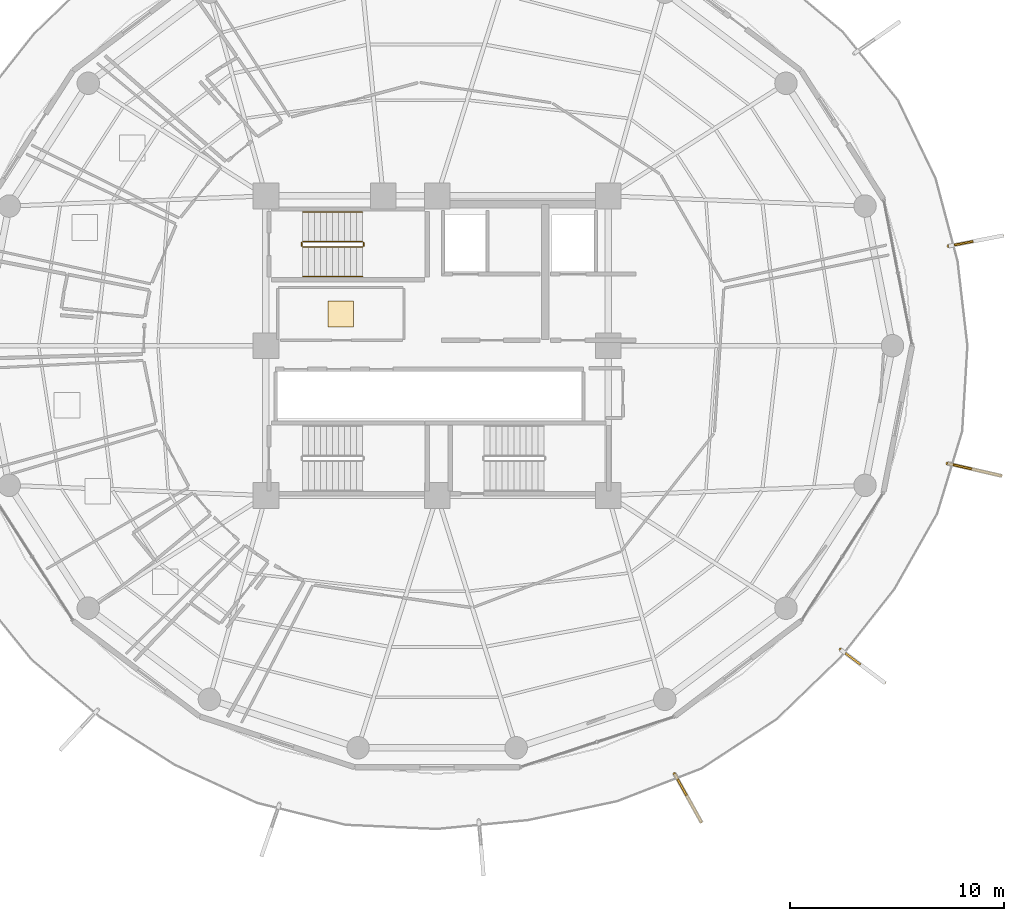
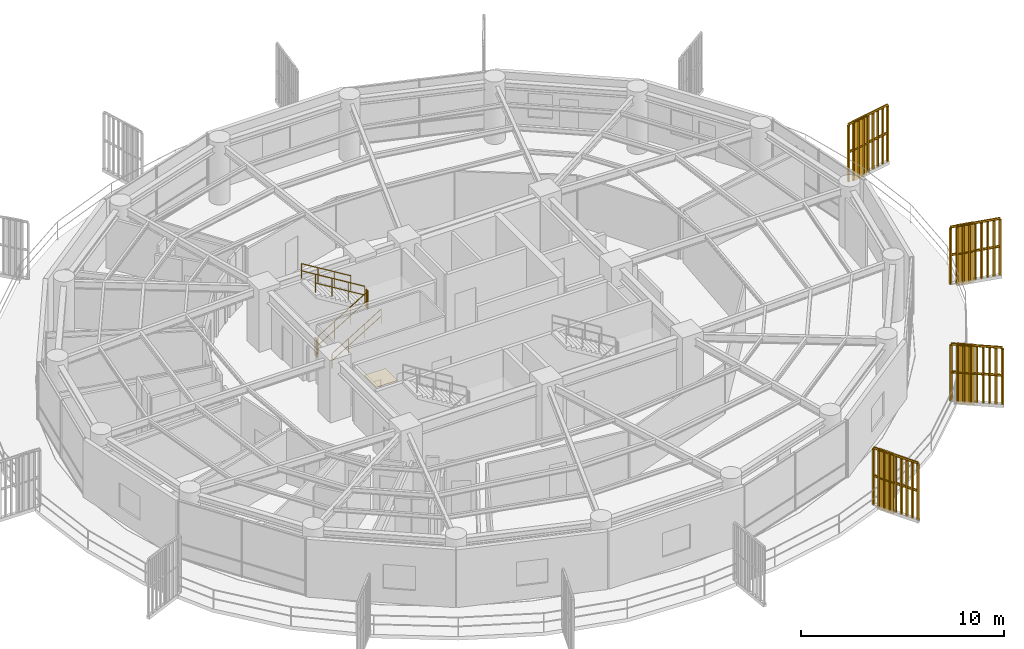
# One storey, part 29 of 30: 10 railings, 4 shading devices, 1 covering.
"""IFC4 building model written with IfcOpenShell, lengths in metres."""

from ifc_helpers import new_model, si_unit, direction, frame, origin, origin_2d, place, context, subcontext, project, spatial, polyline, rectangle, outline, extrude, source, transform, mapped, material, layer, layer_set, type_object, element, save


model = new_model("IFC4")

# Units and contexts
model_context = context("Model", 3, precision=1e-05, world=origin(), true_north=direction((0.0, 1.0)))
body_context = subcontext(model_context, "Body", "Model", "MODEL_VIEW")
ifc_project = project(units=[si_unit("LENGTHUNIT", "METRE"), si_unit("AREAUNIT", "SQUARE_METRE"), si_unit("VOLUMEUNIT", "CUBIC_METRE"), si_unit("PLANEANGLEUNIT", "RADIAN"), si_unit("MASSUNIT", "GRAM", prefix="KILO")], contexts=[model_context])

# Site, building, storey
site_placement = place(None, origin())
site = spatial("IfcSite", under=ifc_project, at=site_placement, CompositionType="ELEMENT")
building_placement = place(site_placement, origin())
building = spatial("IfcBuilding", under=site, at=building_placement, Name="Kelanora Arch Commons", CompositionType="ELEMENT")
storey_placement = place(building_placement, frame((0.0, 0.0, 204.449951171875)))
storey = spatial("IfcBuildingStorey", under=building, at=storey_placement, Name="L52", CompositionType="ELEMENT", Elevation=204.449951171875)

# Railings
ifc_material_1 = material(Name="Anodised bronze vertical shading fin rib assembly")
railing_type_1 = type_object("IfcRailingType", Name="RAIL-FIN-BRZ", PredefinedType="BALUSTRADE", material=ifc_material_1)
railing_1_placement = place(storey_placement, frame((92.85498046875, 43.799560546875, -0.02001953125)))
element("IfcRailing", 1, at=railing_1_placement, inside=storey, type_object=railing_type_1, Name="Sweeping Bronze Vertical Fin Blade L52-00", PredefinedType="BALUSTRADE", context=body_context, shape_type="SweptSolid", body=[
    extrude(outline(polyline([(0.06982421875, 0.0), (0.034912109375, 0.060546875), (-0.034912109375, 0.060546875), (-0.06982421875, 0.0), (-0.034912109375, -0.060546875), (0.034912109375, -0.060546875), (0.06982421875, 0.0)])), frame((0.0, 0.0, 3.419921875), z_axis=(0.798794609004, -0.60160383362, 0.0), x_axis=(0.60160383362, 0.798794609004, 0.0)), (0.0, 0.0, 1.0), 2.555419921875),
    extrude(outline(polyline([(0.06982421875, 0.0), (0.034912109375, 0.060546875), (-0.034912109375, 0.060546875), (-0.06982421875, 0.0), (-0.034912109375, -0.060546875), (0.034912109375, -0.060546875), (0.06982421875, 0.0)])), frame((0.0, 0.0, 1.7451171875), z_axis=(0.798794609004, -0.60160383362, 0.0), x_axis=(0.60160383362, 0.798794609004, 0.0)), (0.0, 0.0, 1.0), 2.555419921875),
    extrude(outline(polyline([(0.080078125, 0.0), (0.0400390625, 0.0693359375), (-0.0400390625, 0.0693359375), (-0.080078125, 0.0), (-0.0400390625, -0.0693359375), (0.0400390625, -0.0693359375), (0.080078125, 0.0)])), origin(), (0.0, 0.0, 1.0), 3.35009765625),
    extrude(outline(polyline([(0.080078125, 0.0), (0.0400390625, 0.0693359375), (-0.0400390625, 0.0693359375), (-0.080078125, 0.0), (-0.0400390625, -0.0693359375), (0.0400390625, -0.0693359375), (0.080078125, 0.0)])), frame((0.255126953125, -0.192138671875, 0.0)), (0.0, 0.0, 1.0), 3.35009765625),
    extrude(outline(polyline([(0.080078125, 0.0), (0.0400390625, 0.0693359375), (-0.0400390625, 0.0693359375), (-0.080078125, 0.0), (-0.0400390625, -0.0693359375), (0.0400390625, -0.0693359375), (0.080078125, 0.0)])), frame((0.51025390625, -0.38427734375, 0.0)), (0.0, 0.0, 1.0), 3.35009765625),
    extrude(outline(polyline([(0.080078125, 0.0), (0.0400390625, 0.0693359375), (-0.0400390625, 0.0693359375), (-0.080078125, 0.0), (-0.0400390625, -0.0693359375), (0.0400390625, -0.0693359375), (0.080078125, 0.0)])), frame((0.765380859375, -0.576416015625, 0.0)), (0.0, 0.0, 1.0), 3.35009765625),
    extrude(outline(polyline([(0.080078125, 0.0), (0.0400390625, 0.0693359375), (-0.0400390625, 0.0693359375), (-0.080078125, 0.0), (-0.0400390625, -0.0693359375), (0.0400390625, -0.0693359375), (0.080078125, 0.0)])), frame((1.0205078125, -0.7685546875, 0.0)), (0.0, 0.0, 1.0), 3.35009765625),
    extrude(outline(polyline([(0.080078125, 0.0), (0.0400390625, 0.0693359375), (-0.0400390625, 0.0693359375), (-0.080078125, 0.0), (-0.0400390625, -0.0693359375), (0.0400390625, -0.0693359375), (0.080078125, 0.0)])), frame((1.27587890625, -0.9609375, 0.0)), (0.0, 0.0, 1.0), 3.35009765625),
    extrude(outline(polyline([(0.080078125, 0.0), (0.0400390625, 0.0693359375), (-0.0400390625, 0.0693359375), (-0.080078125, 0.0), (-0.0400390625, -0.0693359375), (0.0400390625, -0.0693359375), (0.080078125, 0.0)])), frame((1.531005859375, -1.153076171875, 0.0)), (0.0, 0.0, 1.0), 3.35009765625),
    extrude(outline(polyline([(0.080078125, 0.0), (0.0400390625, 0.0693359375), (-0.0400390625, 0.0693359375), (-0.080078125, 0.0), (-0.0400390625, -0.0693359375), (0.0400390625, -0.0693359375), (0.080078125, 0.0)])), frame((1.7861328125, -1.34521484375, 0.0)), (0.0, 0.0, 1.0), 3.35009765625),
    extrude(outline(polyline([(0.080078125, 0.0), (0.0400390625, 0.0693359375), (-0.0400390625, 0.0693359375), (-0.080078125, 0.0), (-0.0400390625, -0.0693359375), (0.0400390625, -0.0693359375), (0.080078125, 0.0)])), frame((2.041259765625, -1.537353515625, 0.0)), (0.0, 0.0, 1.0), 3.35009765625),
])
railing_2_placement = place(storey_placement, frame((97.845703125, 52.50146484375, -0.02001953125)))
element("IfcRailing", 2, at=railing_2_placement, inside=storey, type_object=railing_type_1, Name="Sweeping Bronze Vertical Fin Blade L52-01", PredefinedType="BALUSTRADE", context=body_context, shape_type="SweptSolid", body=[
    extrude(outline(polyline([(0.06982421875, 0.0), (0.034912109375, 0.060546875), (-0.034912109375, 0.060546875), (-0.06982421875, 0.0), (-0.034912109375, -0.060546875), (0.034912109375, -0.060546875), (0.06982421875, 0.0)])), frame((0.0, 0.0, 3.419921875), z_axis=(0.974408903343, -0.224782759761, 0.0), x_axis=(0.224782759761, 0.974408903343, 0.0)), (0.0, 0.0, 1.0), 2.5556640625),
    extrude(outline(polyline([(0.06982421875, 0.0), (0.034912109375, 0.060546875), (-0.034912109375, 0.060546875), (-0.06982421875, 0.0), (-0.034912109375, -0.060546875), (0.034912109375, -0.060546875), (0.06982421875, 0.0)])), frame((0.0, 0.0, 1.7451171875), z_axis=(0.974408903343, -0.224782759761, 0.0), x_axis=(0.224782759761, 0.974408903343, 0.0)), (0.0, 0.0, 1.0), 2.5556640625),
    extrude(outline(polyline([(0.080078125, 0.0), (0.0400390625, 0.0693359375), (-0.0400390625, 0.0693359375), (-0.080078125, 0.0), (-0.0400390625, -0.0693359375), (0.0400390625, -0.0693359375), (0.080078125, 0.0)])), origin(), (0.0, 0.0, 1.0), 3.35009765625),
    extrude(outline(polyline([(0.080078125, 0.0), (0.0400390625, 0.0693359375), (-0.0400390625, 0.0693359375), (-0.080078125, 0.0), (-0.0400390625, -0.0693359375), (0.0400390625, -0.0693359375), (0.080078125, 0.0)])), frame((0.311279296875, -0.07177734375, 0.0)), (0.0, 0.0, 1.0), 3.35009765625),
    extrude(outline(polyline([(0.080078125, 0.0), (0.0400390625, 0.0693359375), (-0.0400390625, 0.0693359375), (-0.080078125, 0.0), (-0.0400390625, -0.0693359375), (0.0400390625, -0.0693359375), (0.080078125, 0.0)])), frame((0.62255859375, -0.1435546875, 0.0)), (0.0, 0.0, 1.0), 3.35009765625),
    extrude(outline(polyline([(0.080078125, 0.0), (0.0400390625, 0.0693359375), (-0.0400390625, 0.0693359375), (-0.080078125, 0.0), (-0.0400390625, -0.0693359375), (0.0400390625, -0.0693359375), (0.080078125, 0.0)])), frame((0.933837890625, -0.21533203125, 0.0)), (0.0, 0.0, 1.0), 3.35009765625),
    extrude(outline(polyline([(0.080078125, 0.0), (0.0400390625, 0.0693359375), (-0.0400390625, 0.0693359375), (-0.080078125, 0.0), (-0.0400390625, -0.0693359375), (0.0400390625, -0.0693359375), (0.080078125, 0.0)])), frame((1.2451171875, -0.287109375, 0.0)), (0.0, 0.0, 1.0), 3.35009765625),
    extrude(outline(polyline([(0.080078125, 0.0), (0.0400390625, 0.0693359375), (-0.0400390625, 0.0693359375), (-0.080078125, 0.0), (-0.0400390625, -0.0693359375), (0.0400390625, -0.0693359375), (0.080078125, 0.0)])), frame((1.556396484375, -0.359130859375, 0.0)), (0.0, 0.0, 1.0), 3.35009765625),
    extrude(outline(polyline([(0.080078125, 0.0), (0.0400390625, 0.0693359375), (-0.0400390625, 0.0693359375), (-0.080078125, 0.0), (-0.0400390625, -0.0693359375), (0.0400390625, -0.0693359375), (0.080078125, 0.0)])), frame((1.86767578125, -0.430908203125, 0.0)), (0.0, 0.0, 1.0), 3.35009765625),
    extrude(outline(polyline([(0.080078125, 0.0), (0.0400390625, 0.0693359375), (-0.0400390625, 0.0693359375), (-0.080078125, 0.0), (-0.0400390625, -0.0693359375), (0.0400390625, -0.0693359375), (0.080078125, 0.0)])), frame((2.178955078125, -0.502685546875, 0.0)), (0.0, 0.0, 1.0), 3.35009765625),
    extrude(outline(polyline([(0.080078125, 0.0), (0.0400390625, 0.0693359375), (-0.0400390625, 0.0693359375), (-0.080078125, 0.0), (-0.0400390625, -0.0693359375), (0.0400390625, -0.0693359375), (0.080078125, 0.0)])), frame((2.490234375, -0.574462890625, 0.0)), (0.0, 0.0, 1.0), 3.35009765625),
])
railing_3_placement = place(storey_placement, frame((97.902099609375, 62.652587890625, -0.02001953125)))
element("IfcRailing", 3, at=railing_3_placement, inside=storey, type_object=railing_type_1, Name="Sweeping Bronze Vertical Fin Blade L52-02", PredefinedType="BALUSTRADE", context=body_context, shape_type="SweptSolid", body=[
    extrude(outline(polyline([(0.06982421875, 0.0), (0.034912109375, 0.060546875), (-0.034912109375, 0.060546875), (-0.06982421875, 0.0), (-0.034912109375, -0.060546875), (0.034912109375, -0.060546875), (0.06982421875, 0.0)])), frame((0.0, 0.0, 3.419921875), z_axis=(0.981574594207, 0.191079344794, 0.0), x_axis=(-0.191079344794, 0.981574594207, 0.0)), (0.0, 0.0, 1.0), 2.555419921875),
    extrude(outline(polyline([(0.06982421875, 0.0), (0.034912109375, 0.060546875), (-0.034912109375, 0.060546875), (-0.06982421875, 0.0), (-0.034912109375, -0.060546875), (0.034912109375, -0.060546875), (0.06982421875, 0.0)])), frame((0.0, 0.0, 1.7451171875), z_axis=(0.981574594207, 0.191079344794, 0.0), x_axis=(-0.191079344794, 0.981574594207, 0.0)), (0.0, 0.0, 1.0), 2.555419921875),
    extrude(outline(polyline([(0.080078125, 0.0), (0.0400390625, 0.0693359375), (-0.0400390625, 0.0693359375), (-0.080078125, 0.0), (-0.0400390625, -0.0693359375), (0.0400390625, -0.0693359375), (0.080078125, 0.0)])), origin(), (0.0, 0.0, 1.0), 3.35009765625),
    extrude(outline(polyline([(0.080078125, 0.0), (0.0400390625, 0.0693359375), (-0.0400390625, 0.0693359375), (-0.080078125, 0.0), (-0.0400390625, -0.0693359375), (0.0400390625, -0.0693359375), (0.080078125, 0.0)])), frame((0.3134765625, 0.06103515625, 0.0)), (0.0, 0.0, 1.0), 3.35009765625),
    extrude(outline(polyline([(0.080078125, 0.0), (0.0400390625, 0.0693359375), (-0.0400390625, 0.0693359375), (-0.080078125, 0.0), (-0.0400390625, -0.0693359375), (0.0400390625, -0.0693359375), (0.080078125, 0.0)])), frame((0.626953125, 0.1220703125, 0.0)), (0.0, 0.0, 1.0), 3.35009765625),
    extrude(outline(polyline([(0.080078125, 0.0), (0.0400390625, 0.0693359375), (-0.0400390625, 0.0693359375), (-0.080078125, 0.0), (-0.0400390625, -0.0693359375), (0.0400390625, -0.0693359375), (0.080078125, 0.0)])), frame((0.940673828125, 0.18310546875, 0.0)), (0.0, 0.0, 1.0), 3.35009765625),
    extrude(outline(polyline([(0.080078125, 0.0), (0.0400390625, 0.0693359375), (-0.0400390625, 0.0693359375), (-0.080078125, 0.0), (-0.0400390625, -0.0693359375), (0.0400390625, -0.0693359375), (0.080078125, 0.0)])), frame((1.254150390625, 0.244140625, 0.0)), (0.0, 0.0, 1.0), 3.35009765625),
    extrude(outline(polyline([(0.080078125, 0.0), (0.0400390625, 0.0693359375), (-0.0400390625, 0.0693359375), (-0.080078125, 0.0), (-0.0400390625, -0.0693359375), (0.0400390625, -0.0693359375), (0.080078125, 0.0)])), frame((1.567626953125, 0.30517578125, 0.0)), (0.0, 0.0, 1.0), 3.35009765625),
    extrude(outline(polyline([(0.080078125, 0.0), (0.0400390625, 0.0693359375), (-0.0400390625, 0.0693359375), (-0.080078125, 0.0), (-0.0400390625, -0.0693359375), (0.0400390625, -0.0693359375), (0.080078125, 0.0)])), frame((1.88134765625, 0.3662109375, 0.0)), (0.0, 0.0, 1.0), 3.35009765625),
    extrude(outline(polyline([(0.080078125, 0.0), (0.0400390625, 0.0693359375), (-0.0400390625, 0.0693359375), (-0.080078125, 0.0), (-0.0400390625, -0.0693359375), (0.0400390625, -0.0693359375), (0.080078125, 0.0)])), frame((2.19482421875, 0.42724609375, 0.0)), (0.0, 0.0, 1.0), 3.35009765625),
    extrude(outline(polyline([(0.080078125, 0.0), (0.0400390625, 0.0693359375), (-0.0400390625, 0.0693359375), (-0.080078125, 0.0), (-0.0400390625, -0.0693359375), (0.0400390625, -0.0693359375), (0.080078125, 0.0)])), frame((2.50830078125, 0.48828125, 0.0)), (0.0, 0.0, 1.0), 3.35009765625),
])
railing_4_placement = place(storey_placement, frame((85.095703125, 37.9951171875, -0.02001953125)))
element("IfcRailing", 4, at=railing_4_placement, inside=storey, type_object=railing_type_1, Name="Sweeping Bronze Vertical Fin Blade L52-14", PredefinedType="BALUSTRADE", context=body_context, shape_type="SweptSolid", body=[
    extrude(outline(polyline([(0.06982421875, 0.0), (0.034912109375, 0.060546875), (-0.034912109375, 0.060546875), (-0.06982421875, 0.0), (-0.034912109375, -0.060546875), (0.034912109375, -0.060546875), (0.06982421875, 0.0)])), frame((0.0, 0.0, 3.419921875), z_axis=(0.48501824131, -0.874504034065, 0.0), x_axis=(0.874504034065, 0.48501824131, 0.0)), (0.0, 0.0, 1.0), 2.5556640625),
    extrude(outline(polyline([(0.06982421875, 0.0), (0.034912109375, 0.060546875), (-0.034912109375, 0.060546875), (-0.06982421875, 0.0), (-0.034912109375, -0.060546875), (0.034912109375, -0.060546875), (0.06982421875, 0.0)])), frame((0.0, 0.0, 1.7451171875), z_axis=(0.48501824131, -0.874504034065, 0.0), x_axis=(0.874504034065, 0.48501824131, 0.0)), (0.0, 0.0, 1.0), 2.5556640625),
    extrude(outline(polyline([(0.080078125, 0.0), (0.0400390625, 0.0693359375), (-0.0400390625, 0.0693359375), (-0.080078125, 0.0), (-0.0400390625, -0.0693359375), (0.0400390625, -0.0693359375), (0.080078125, 0.0)])), origin(), (0.0, 0.0, 1.0), 3.35009765625),
    extrude(outline(polyline([(0.080078125, 0.0), (0.0400390625, 0.0693359375), (-0.0400390625, 0.0693359375), (-0.080078125, 0.0), (-0.0400390625, -0.0693359375), (0.0400390625, -0.0693359375), (0.080078125, 0.0)])), frame((0.155029296875, -0.279296875, 0.0)), (0.0, 0.0, 1.0), 3.35009765625),
    extrude(outline(polyline([(0.080078125, 0.0), (0.0400390625, 0.0693359375), (-0.0400390625, 0.0693359375), (-0.080078125, 0.0), (-0.0400390625, -0.0693359375), (0.0400390625, -0.0693359375), (0.080078125, 0.0)])), frame((0.309814453125, -0.55859375, 0.0)), (0.0, 0.0, 1.0), 3.35009765625),
    extrude(outline(polyline([(0.080078125, 0.0), (0.0400390625, 0.0693359375), (-0.0400390625, 0.0693359375), (-0.080078125, 0.0), (-0.0400390625, -0.0693359375), (0.0400390625, -0.0693359375), (0.080078125, 0.0)])), frame((0.46484375, -0.838134765625, 0.0)), (0.0, 0.0, 1.0), 3.35009765625),
    extrude(outline(polyline([(0.080078125, 0.0), (0.0400390625, 0.0693359375), (-0.0400390625, 0.0693359375), (-0.080078125, 0.0), (-0.0400390625, -0.0693359375), (0.0400390625, -0.0693359375), (0.080078125, 0.0)])), frame((0.61962890625, -1.117431640625, 0.0)), (0.0, 0.0, 1.0), 3.35009765625),
    extrude(outline(polyline([(0.080078125, 0.0), (0.0400390625, 0.0693359375), (-0.0400390625, 0.0693359375), (-0.080078125, 0.0), (-0.0400390625, -0.0693359375), (0.0400390625, -0.0693359375), (0.080078125, 0.0)])), frame((0.774658203125, -1.396728515625, 0.0)), (0.0, 0.0, 1.0), 3.35009765625),
    extrude(outline(polyline([(0.080078125, 0.0), (0.0400390625, 0.0693359375), (-0.0400390625, 0.0693359375), (-0.080078125, 0.0), (-0.0400390625, -0.0693359375), (0.0400390625, -0.0693359375), (0.080078125, 0.0)])), frame((0.9296875, -1.67626953125, 0.0)), (0.0, 0.0, 1.0), 3.35009765625),
    extrude(outline(polyline([(0.080078125, 0.0), (0.0400390625, 0.0693359375), (-0.0400390625, 0.0693359375), (-0.080078125, 0.0), (-0.0400390625, -0.0693359375), (0.0400390625, -0.0693359375), (0.080078125, 0.0)])), frame((1.08447265625, -1.95556640625, 0.0)), (0.0, 0.0, 1.0), 3.35009765625),
    extrude(outline(polyline([(0.080078125, 0.0), (0.0400390625, 0.0693359375), (-0.0400390625, 0.0693359375), (-0.080078125, 0.0), (-0.0400390625, -0.0693359375), (0.0400390625, -0.0693359375), (0.080078125, 0.0)])), frame((1.239501953125, -2.23486328125, 0.0)), (0.0, 0.0, 1.0), 3.35009765625),
])
ifc_material_2 = material(Name="Painted steel stair well guard", Category="steel")
railing_type_2 = type_object("IfcRailingType", Name="RAIL-STAIR-GRD", PredefinedType="GUARDRAIL", material=ifc_material_2)
railing_5_placement = place(storey_placement, frame((67.719970703125, 62.610107421875, 0.17041015625)))
element("IfcRailing", 5, at=railing_5_placement, inside=storey, type_object=railing_type_2, Name="L52 ST-T1 stair guard 1", PredefinedType="GUARDRAIL", context=body_context, shape_type="SweptSolid", body=[
    extrude(outline(polyline([(0.02392578125, 0.0), (0.011962890625, 0.020751953125), (-0.011962890625, 0.020751953125), (-0.02392578125, 0.0), (-0.011962890625, -0.020751953125), (0.011962890625, -0.020751953125), (0.02392578125, 0.0)])), frame((0.0, 0.0, 1.076171875), z_axis=(0.854169791009, 0.0, 0.51999420009), x_axis=(0.0, 1.0, 0.0)), (0.0, 0.0, 1.0), 3.278076171875),
    extrude(outline(polyline([(0.02392578125, 0.0), (0.011962890625, 0.020751953125), (-0.011962890625, 0.020751953125), (-0.02392578125, 0.0), (-0.011962890625, -0.020751953125), (0.011962890625, -0.020751953125), (0.02392578125, 0.0)])), frame((0.0, 0.0, 0.550048828125), z_axis=(0.854169791009, 0.0, 0.51999420009), x_axis=(0.0, 1.0, 0.0)), (0.0, 0.0, 1.0), 3.278076171875),
    extrude(outline(polyline([(0.02099609375, 0.0), (0.010498046875, 0.01806640625), (-0.010498046875, 0.01806640625), (-0.02099609375, 0.0), (-0.010498046875, -0.01806640625), (0.010498046875, -0.01806640625), (0.02099609375, 0.0)])), origin(), (0.0, 0.0, 1.0), 1.052001953125),
    extrude(outline(polyline([(0.02099609375, 0.0), (0.010498046875, 0.01806640625), (-0.010498046875, 0.01806640625), (-0.02099609375, 0.0), (-0.010498046875, -0.01806640625), (0.010498046875, -0.01806640625), (0.02099609375, 0.0)])), frame((0.933349609375, 0.0, 0.568115234375)), (0.0, 0.0, 1.0), 1.052001953125),
    extrude(outline(polyline([(0.02099609375, 0.0), (0.010498046875, 0.01806640625), (-0.010498046875, 0.01806640625), (-0.02099609375, 0.0), (-0.010498046875, -0.01806640625), (0.010498046875, -0.01806640625), (0.02099609375, 0.0)])), frame((1.86669921875, 0.0, 1.136474609375)), (0.0, 0.0, 1.0), 1.052001953125),
    extrude(outline(polyline([(0.02099609375, 0.0), (0.010498046875, 0.01806640625), (-0.010498046875, 0.01806640625), (-0.02099609375, 0.0), (-0.010498046875, -0.01806640625), (0.010498046875, -0.01806640625), (0.02099609375, 0.0)])), frame((2.800048828125, 0.0, 1.70458984375)), (0.0, 0.0, 1.0), 1.052001953125),
])
railing_6_placement = place(storey_placement, frame((70.570068359375, 62.659912109375, 1.875)))
element("IfcRailing", 6, at=railing_6_placement, inside=storey, type_object=railing_type_2, Name="L52 ST-T1 stair guard 2", PredefinedType="GUARDRAIL", context=body_context, shape_type="SweptSolid", body=[
    extrude(outline(polyline([(0.02392578125, 0.0), (0.011962890625, 0.020751953125), (-0.011962890625, 0.020751953125), (-0.02392578125, 0.0), (-0.011962890625, -0.020751953125), (0.011962890625, -0.020751953125), (0.02392578125, 0.0)])), frame((0.0, 0.0, 1.076171875), z_axis=(0.0, 1.0, 0.0), x_axis=(-1.0, 0.0, 0.0)), (0.0, 0.0, 1.0), 0.150146484375),
    extrude(outline(polyline([(0.02392578125, 0.0), (0.011962890625, 0.020751953125), (-0.011962890625, 0.020751953125), (-0.02392578125, 0.0), (-0.011962890625, -0.020751953125), (0.011962890625, -0.020751953125), (0.02392578125, 0.0)])), frame((0.0, 0.0, 0.550048828125), z_axis=(0.0, 1.0, 0.0), x_axis=(-1.0, 0.0, 0.0)), (0.0, 0.0, 1.0), 0.150146484375),
    extrude(outline(polyline([(0.02099609375, 0.0), (0.010498046875, 0.01806640625), (-0.010498046875, 0.01806640625), (-0.02099609375, 0.0), (-0.010498046875, -0.01806640625), (0.010498046875, -0.01806640625), (0.02099609375, 0.0)])), origin(), (0.0, 0.0, 1.0), 1.052001953125),
    extrude(outline(polyline([(0.02099609375, 0.0), (0.010498046875, 0.01806640625), (-0.010498046875, 0.01806640625), (-0.02099609375, 0.0), (-0.010498046875, -0.01806640625), (0.010498046875, -0.01806640625), (0.02099609375, 0.0)])), frame((0.0, 0.150146484375, 0.0)), (0.0, 0.0, 1.0), 1.052001953125),
])
railing_7_placement = place(storey_placement, frame((70.52001953125, 62.860107421875, 2.04541015625)))
element("IfcRailing", 7, at=railing_7_placement, inside=storey, type_object=railing_type_2, Name="L52 ST-T1 stair guard 3", PredefinedType="GUARDRAIL", context=body_context, shape_type="SweptSolid", body=[
    extrude(outline(polyline([(0.02392578125, 0.0), (0.011962890625, 0.020751953125), (-0.011962890625, 0.020751953125), (-0.02392578125, 0.0), (-0.011962890625, -0.020751953125), (0.011962890625, -0.020751953125), (0.02392578125, 0.0)])), frame((0.0, 0.0, 1.076171875), z_axis=(-0.854169791009, 0.0, 0.51999420009), x_axis=(0.0, -1.0, 0.0)), (0.0, 0.0, 1.0), 3.278076171875),
    extrude(outline(polyline([(0.02392578125, 0.0), (0.011962890625, 0.020751953125), (-0.011962890625, 0.020751953125), (-0.02392578125, 0.0), (-0.011962890625, -0.020751953125), (0.011962890625, -0.020751953125), (0.02392578125, 0.0)])), frame((0.0, 0.0, 0.550048828125), z_axis=(-0.854169791009, 0.0, 0.51999420009), x_axis=(0.0, -1.0, 0.0)), (0.0, 0.0, 1.0), 3.278076171875),
    extrude(outline(polyline([(0.02099609375, 0.0), (0.010498046875, 0.01806640625), (-0.010498046875, 0.01806640625), (-0.02099609375, 0.0), (-0.010498046875, -0.01806640625), (0.010498046875, -0.01806640625), (0.02099609375, 0.0)])), origin(), (0.0, 0.0, 1.0), 1.052001953125),
    extrude(outline(polyline([(0.02099609375, 0.0), (0.010498046875, 0.01806640625), (-0.010498046875, 0.01806640625), (-0.02099609375, 0.0), (-0.010498046875, -0.01806640625), (0.010498046875, -0.01806640625), (0.02099609375, 0.0)])), frame((-0.933349609375, 0.0, 0.568115234375)), (0.0, 0.0, 1.0), 1.052001953125),
    extrude(outline(polyline([(0.02099609375, 0.0), (0.010498046875, 0.01806640625), (-0.010498046875, 0.01806640625), (-0.02099609375, 0.0), (-0.010498046875, -0.01806640625), (0.010498046875, -0.01806640625), (0.02099609375, 0.0)])), frame((-1.86669921875, 0.0, 1.136474609375)), (0.0, 0.0, 1.0), 1.052001953125),
    extrude(outline(polyline([(0.02099609375, 0.0), (0.010498046875, 0.01806640625), (-0.010498046875, 0.01806640625), (-0.02099609375, 0.0), (-0.010498046875, -0.01806640625), (0.010498046875, -0.01806640625), (0.02099609375, 0.0)])), frame((-2.800048828125, 0.0, 1.70458984375)), (0.0, 0.0, 1.0), 1.052001953125),
])
railing_8_placement = place(storey_placement, frame((67.669921875, 62.659912109375, 0.0)))
element("IfcRailing", 8, at=railing_8_placement, inside=storey, type_object=railing_type_2, Name="L52 ST-T1 stair guard 4", PredefinedType="GUARDRAIL", context=body_context, shape_type="SweptSolid", body=[
    extrude(outline(polyline([(0.02392578125, 0.0), (0.011962890625, 0.020751953125), (-0.011962890625, 0.020751953125), (-0.02392578125, 0.0), (-0.011962890625, -0.020751953125), (0.011962890625, -0.020751953125), (0.02392578125, 0.0)])), frame((0.0, 0.0, 1.076171875), z_axis=(0.0, 1.0, 0.0), x_axis=(-1.0, 0.0, 0.0)), (0.0, 0.0, 1.0), 0.150146484375),
    extrude(outline(polyline([(0.02392578125, 0.0), (0.011962890625, 0.020751953125), (-0.011962890625, 0.020751953125), (-0.02392578125, 0.0), (-0.011962890625, -0.020751953125), (0.011962890625, -0.020751953125), (0.02392578125, 0.0)])), frame((0.0, 0.0, 0.550048828125), z_axis=(0.0, 1.0, 0.0), x_axis=(-1.0, 0.0, 0.0)), (0.0, 0.0, 1.0), 0.150146484375),
    extrude(outline(polyline([(0.02099609375, 0.0), (0.010498046875, 0.01806640625), (-0.010498046875, 0.01806640625), (-0.02099609375, 0.0), (-0.010498046875, -0.01806640625), (0.010498046875, -0.01806640625), (0.02099609375, 0.0)])), origin(), (0.0, 0.0, 1.0), 1.052001953125),
    extrude(outline(polyline([(0.02099609375, 0.0), (0.010498046875, 0.01806640625), (-0.010498046875, 0.01806640625), (-0.02099609375, 0.0), (-0.010498046875, -0.01806640625), (0.010498046875, -0.01806640625), (0.02099609375, 0.0)])), frame((0.0, 0.150146484375, 0.0)), (0.0, 0.0, 1.0), 1.052001953125),
])
ifc_material_3 = material(Name="Brushed stainless steel stair handrail", Category="steel")
railing_type_3 = type_object("IfcRailingType", Name="RAIL-STAIR-HND", PredefinedType="HANDRAIL", material=ifc_material_3)
railing_9_placement = place(storey_placement, frame((67.719970703125, 61.22998046875, 0.17041015625)))
element("IfcRailing", 9, at=railing_9_placement, inside=storey, type_object=railing_type_3, Name="L52 ST-T1 stair handrail 1", PredefinedType="HANDRAIL", context=body_context, shape_type="SweptSolid", body=[
    extrude(outline(polyline([(0.02392578125, 0.0), (0.011962890625, 0.020751953125), (-0.011962890625, 0.020751953125), (-0.02392578125, 0.0), (-0.011962890625, -0.020751953125), (0.011962890625, -0.020751953125), (0.02392578125, 0.0)])), frame((0.0, 0.0, 0.8759765625), z_axis=(0.854169791009, 0.0, 0.51999420009), x_axis=(0.0, 1.0, 0.0)), (0.0, 0.0, 1.0), 3.278076171875),
    extrude(outline(polyline([(0.02392578125, 0.0), (0.011962890625, 0.020751953125), (-0.011962890625, 0.020751953125), (-0.02392578125, 0.0), (-0.011962890625, -0.020751953125), (0.011962890625, -0.020751953125), (0.02392578125, 0.0)])), frame((0.0, 0.0, 0.449951171875), z_axis=(0.854169791009, 0.0, 0.51999420009), x_axis=(0.0, 1.0, 0.0)), (0.0, 0.0, 1.0), 3.278076171875),
    extrude(outline(polyline([(0.02099609375, 0.0), (0.010498046875, 0.01806640625), (-0.010498046875, 0.01806640625), (-0.02099609375, 0.0), (-0.010498046875, -0.01806640625), (0.010498046875, -0.01806640625), (0.02099609375, 0.0)])), origin(), (0.0, 0.0, 1.0), 0.851806640625),
    extrude(outline(polyline([(0.02099609375, 0.0), (0.010498046875, 0.01806640625), (-0.010498046875, 0.01806640625), (-0.02099609375, 0.0), (-0.010498046875, -0.01806640625), (0.010498046875, -0.01806640625), (0.02099609375, 0.0)])), frame((0.933349609375, 0.0, 0.568115234375)), (0.0, 0.0, 1.0), 0.851806640625),
    extrude(outline(polyline([(0.02099609375, 0.0), (0.010498046875, 0.01806640625), (-0.010498046875, 0.01806640625), (-0.02099609375, 0.0), (-0.010498046875, -0.01806640625), (0.010498046875, -0.01806640625), (0.02099609375, 0.0)])), frame((1.86669921875, 0.0, 1.136474609375)), (0.0, 0.0, 1.0), 0.851806640625),
    extrude(outline(polyline([(0.02099609375, 0.0), (0.010498046875, 0.01806640625), (-0.010498046875, 0.01806640625), (-0.02099609375, 0.0), (-0.010498046875, -0.01806640625), (0.010498046875, -0.01806640625), (0.02099609375, 0.0)])), frame((2.800048828125, 0.0, 1.70458984375)), (0.0, 0.0, 1.0), 0.851806640625),
])
railing_10_placement = place(storey_placement, frame((70.52001953125, 64.239990234375, 2.04541015625)))
element("IfcRailing", 10, at=railing_10_placement, inside=storey, type_object=railing_type_3, Name="L52 ST-T1 stair handrail 2", PredefinedType="HANDRAIL", context=body_context, shape_type="SweptSolid", body=[
    extrude(outline(polyline([(0.02392578125, 0.0), (0.011962890625, 0.020751953125), (-0.011962890625, 0.020751953125), (-0.02392578125, 0.0), (-0.011962890625, -0.020751953125), (0.011962890625, -0.020751953125), (0.02392578125, 0.0)])), frame((0.0, 0.0, 0.8759765625), z_axis=(-0.854169791009, 0.0, 0.51999420009), x_axis=(0.0, -1.0, 0.0)), (0.0, 0.0, 1.0), 3.278076171875),
    extrude(outline(polyline([(0.02392578125, 0.0), (0.011962890625, 0.020751953125), (-0.011962890625, 0.020751953125), (-0.02392578125, 0.0), (-0.011962890625, -0.020751953125), (0.011962890625, -0.020751953125), (0.02392578125, 0.0)])), frame((0.0, 0.0, 0.449951171875), z_axis=(-0.854169791009, 0.0, 0.51999420009), x_axis=(0.0, -1.0, 0.0)), (0.0, 0.0, 1.0), 3.278076171875),
    extrude(outline(polyline([(0.02099609375, 0.0), (0.010498046875, 0.01806640625), (-0.010498046875, 0.01806640625), (-0.02099609375, 0.0), (-0.010498046875, -0.01806640625), (0.010498046875, -0.01806640625), (0.02099609375, 0.0)])), origin(), (0.0, 0.0, 1.0), 0.851806640625),
    extrude(outline(polyline([(0.02099609375, 0.0), (0.010498046875, 0.01806640625), (-0.010498046875, 0.01806640625), (-0.02099609375, 0.0), (-0.010498046875, -0.01806640625), (0.010498046875, -0.01806640625), (0.02099609375, 0.0)])), frame((-0.933349609375, 0.0, 0.568115234375)), (0.0, 0.0, 1.0), 0.851806640625),
    extrude(outline(polyline([(0.02099609375, 0.0), (0.010498046875, 0.01806640625), (-0.010498046875, 0.01806640625), (-0.02099609375, 0.0), (-0.010498046875, -0.01806640625), (0.010498046875, -0.01806640625), (0.02099609375, 0.0)])), frame((-1.86669921875, 0.0, 1.136474609375)), (0.0, 0.0, 1.0), 0.851806640625),
    extrude(outline(polyline([(0.02099609375, 0.0), (0.010498046875, 0.01806640625), (-0.010498046875, 0.01806640625), (-0.02099609375, 0.0), (-0.010498046875, -0.01806640625), (0.010498046875, -0.01806640625), (0.02099609375, 0.0)])), frame((-2.800048828125, 0.0, 1.70458984375)), (0.0, 0.0, 1.0), 0.851806640625),
])

# Shading devices
ifc_material_4 = material(Name="Terracotta ceramic-clad extruded aluminium fin", Category="masonry")
shading_device_type = type_object("IfcShadingDeviceType", Name="SHD-FIN-FLARE", PredefinedType="USERDEFINED", material=ifc_material_4)
shared_shape_1 = source(origin(), body_context, "Body", "SweptSolid", [
    extrude(rectangle(XDim=0.8798828125, YDim=0.090087890625, at=origin_2d()), origin(), (0.0, 0.0, 1.0), 3.610107421875),
])
for number, where, z_axis, x_axis, name in (
    (11, (93.43017578125, 43.366455078125, -0.14013671875), (0.0, 0.0, 1.0), (0.79884553446, -0.60153621011, 0.0), "Sweeping Terracotta Fin L52-00"),
    (12, (98.54736328125, 52.339599609375, -0.14013671875), (0.0, 0.0, 1.0), (0.974448528153, -0.224610921331, 0.0), "Sweeping Terracotta Fin L52-01"),
    (13, (98.60888671875, 62.790283203125, -0.14013671875), (0.0, 0.0, 1.0), (0.981560518741, 0.191151636272, 0.0), "Sweeping Terracotta Fin L52-02"),
    (14, (85.445068359375, 37.365478515625, -0.14013671875), (0.0, 0.0, 1.0), (0.484962262797, -0.874535078577, 0.0), "Sweeping Terracotta Fin L52-14"),
):
    element("IfcShadingDevice", number, at=place(storey_placement, frame(where, z_axis=z_axis, x_axis=x_axis)), inside=storey, type_object=shading_device_type, Name=name, ObjectType="FIN", PredefinedType="USERDEFINED", context=body_context, shape_type="MappedRepresentation", body=[
        mapped(shared_shape_1, transform((0.0, 0.0, 0.0), scale=1.0)),
    ])

# Covering
ifc_material_5 = material(Name="Polished local granite terrazzo flooring", Category="masonry")
ifc_layer = layer(ifc_material_5, 0.030029296875)
ifc_layer_set = layer_set([ifc_layer], Name="Polished local granite terrazzo flooring")
covering_type = type_object("IfcCoveringType", Name="COV-FLR-TER", PredefinedType="FLOORING", material=ifc_layer_set)
shared_shape_2 = source(origin(), body_context, "Body", "SweptSolid", [
    extrude(rectangle(XDim=1.199951171875, YDim=1.199951171875, at=origin_2d()), origin(), (0.0, 0.0, 1.0), 0.030029296875),
])
covering_placement = place(storey_placement, frame((69.5, 59.485107421875, 0.0), z_axis=(0.0, 0.0, 1.0), x_axis=(1.0, 0.0, 0.0)))
element("IfcCovering", 15, at=covering_placement, inside=storey, type_object=covering_type, Name="Reclaimed Core Study Pod Lounge L52 Terrazzo Finish", PredefinedType="FLOORING", context=body_context, shape_type="MappedRepresentation", body=[
    mapped(shared_shape_2, transform((0.0, 0.0, 0.0), scale=1.0)),
])

save(model, "model.ifc")
